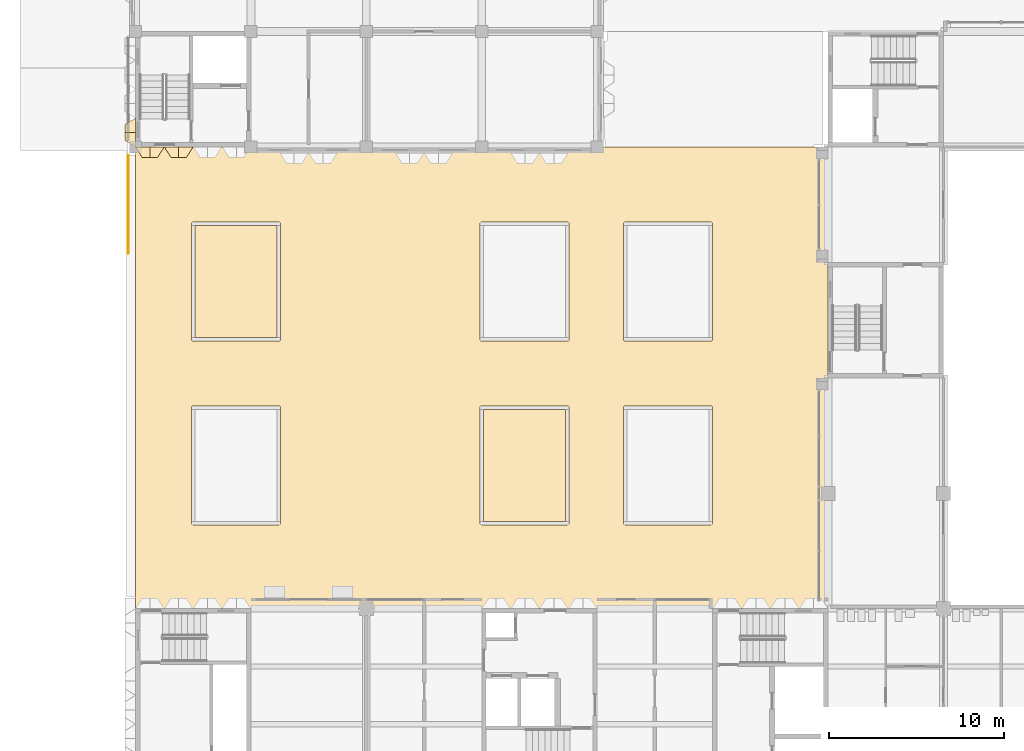
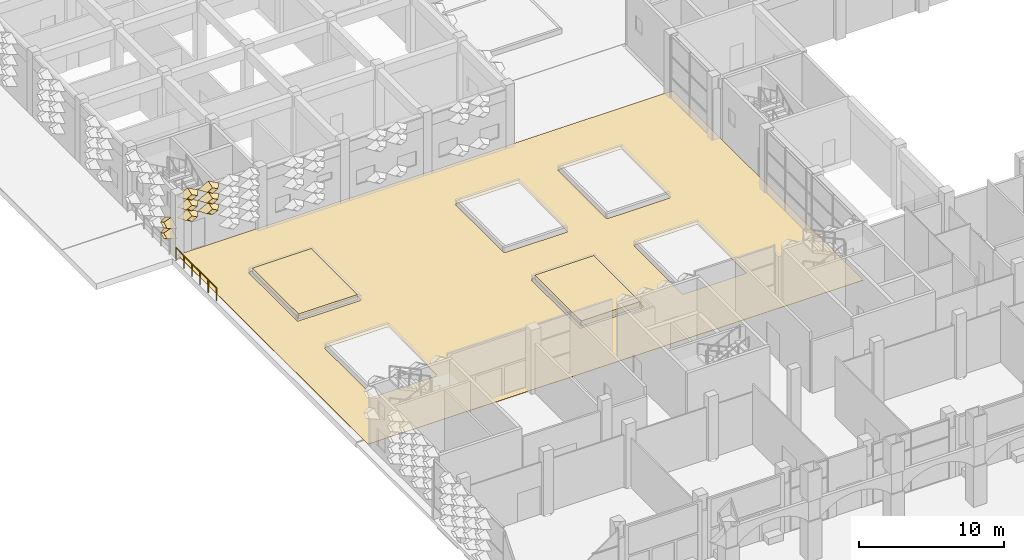
# One storey, part 54 of 85: 11 coverings, 1 railing.
"""IFC4 building model written with IfcOpenShell, lengths in metres."""

from ifc_helpers import new_model, entity, si_unit, direction, frame, origin, origin_2d, place, context, subcontext, project, spatial, polyline, circle, outline, extrude, material, layer, layer_set, type_object, element, save


model = new_model("IFC4")

# Units and contexts
model_context = context("Model", 3, precision=1e-05, world=origin(), true_north=direction((0.0, 1.0)))
body_context = subcontext(model_context, "Body", "Model", "MODEL_VIEW")
ifc_project = project(units=[si_unit("LENGTHUNIT", "METRE"), si_unit("AREAUNIT", "SQUARE_METRE"), si_unit("VOLUMEUNIT", "CUBIC_METRE"), si_unit("PLANEANGLEUNIT", "RADIAN"), si_unit("MASSUNIT", "GRAM", prefix="KILO")], contexts=[model_context])

# Site, building, storey
site_placement = place(None, origin())
site = spatial("IfcSite", under=ifc_project, at=site_placement, CompositionType="ELEMENT")
building_placement = place(site_placement, origin())
building = spatial("IfcBuilding", under=site, at=building_placement, Name="Lantern Court Research Institute", CompositionType="ELEMENT")
storey_placement = place(building_placement, origin())
storey = spatial("IfcBuildingStorey", under=building, at=storey_placement, Name="L00", CompositionType="ELEMENT", Elevation=0.0)

# Coverings
ifc_material_1 = material(Name="Granite setts", Category="masonry")
ifc_layer_1 = layer(ifc_material_1, 0.030029296875)
ifc_layer_set_1 = layer_set([ifc_layer_1], Name="Granite setts")
covering_type_1 = type_object("IfcCoveringType", Name="Court paving 30 mm", PredefinedType="FLOORING", material=ifc_layer_set_1)
covering_1_placement = place(storey_placement, origin())
element("IfcCovering", 1, at=covering_1_placement, inside=storey, type_object=covering_type_1, Name="Court paving 1", PredefinedType="FLOORING", context=body_context, shape_type="SweptSolid", body=[
    extrude(outline(polyline([(26.404052734375, 49.47998046875), (26.406005859375, 49.48095703125), (26.407958984375, 49.48193359375), (26.408935546875, 49.48193359375), (26.410888671875, 49.48291015625), (26.4130859375, 49.485107421875), (26.4140625, 49.486083984375), (26.4150390625, 49.487060546875), (26.4169921875, 49.489013671875), (26.41796875, 49.490966796875), (26.41796875, 49.491943359375), (26.4189453125, 49.493896484375), (26.419921875, 49.49609375), (26.419921875, 49.498046875), (26.419921875, 49.5), (39.580078125, 49.5), (39.580078125, 23.1201171875), (0.02001953125, 23.1201171875), (0.02001953125, 49.47998046875), (26.39990234375, 49.47998046875), (26.402099609375, 49.47998046875), (26.404052734375, 49.47998046875)]), holes=[polyline([(8.256103515625, 27.9169921875), (8.262939453125, 27.923095703125), (8.27099609375, 27.928955078125), (8.277099609375, 27.93701171875), (8.282958984375, 27.944091796875), (8.2880859375, 27.952880859375), (8.2919921875, 27.9619140625), (8.2958984375, 27.970947265625), (8.298095703125, 27.97998046875), (8.300048828125, 27.989990234375), (8.300048828125, 28.0), (8.300048828125, 34.60009765625), (8.300048828125, 34.610107421875), (8.298095703125, 34.6201171875), (8.2958984375, 34.62890625), (8.2919921875, 34.637939453125), (8.2880859375, 34.64697265625), (8.282958984375, 34.656005859375), (8.277099609375, 34.6630859375), (8.27099609375, 34.6708984375), (8.262939453125, 34.677001953125), (8.256103515625, 34.68310546875), (8.2470703125, 34.68798828125), (8.238037109375, 34.69189453125), (8.22900390625, 34.696044921875), (8.219970703125, 34.697998046875), (8.2099609375, 34.699951171875), (8.199951171875, 34.699951171875), (3.300048828125, 34.699951171875), (3.2900390625, 34.699951171875), (3.280029296875, 34.697998046875), (3.27099609375, 34.696044921875), (3.261962890625, 34.69189453125), (3.2529296875, 34.68798828125), (3.243896484375, 34.68310546875), (3.237060546875, 34.677001953125), (3.22900390625, 34.6708984375), (3.222900390625, 34.6630859375), (3.217041015625, 34.656005859375), (3.2119140625, 34.64697265625), (3.2080078125, 34.637939453125), (3.2041015625, 34.62890625), (3.201904296875, 34.6201171875), (3.199951171875, 34.610107421875), (3.199951171875, 34.60009765625), (3.199951171875, 28.0), (3.199951171875, 27.989990234375), (3.201904296875, 27.97998046875), (3.2041015625, 27.970947265625), (3.2080078125, 27.9619140625), (3.2119140625, 27.952880859375), (3.217041015625, 27.944091796875), (3.222900390625, 27.93701171875), (3.22900390625, 27.928955078125), (3.237060546875, 27.923095703125), (3.243896484375, 27.9169921875), (3.2529296875, 27.912109375), (3.261962890625, 27.907958984375), (3.27099609375, 27.904052734375), (3.280029296875, 27.902099609375), (3.2900390625, 27.89990234375), (3.300048828125, 27.89990234375), (8.199951171875, 27.89990234375), (8.2099609375, 27.89990234375), (8.219970703125, 27.902099609375), (8.22900390625, 27.904052734375), (8.238037109375, 27.907958984375), (8.2470703125, 27.912109375), (8.256103515625, 27.9169921875)]), polyline([(8.2470703125, 38.412109375), (8.256103515625, 38.4169921875), (8.262939453125, 38.423095703125), (8.27099609375, 38.428955078125), (8.277099609375, 38.43701171875), (8.282958984375, 38.444091796875), (8.2880859375, 38.452880859375), (8.2919921875, 38.4619140625), (8.2958984375, 38.470947265625), (8.298095703125, 38.47998046875), (8.300048828125, 38.489990234375), (8.300048828125, 38.5), (8.300048828125, 45.10009765625), (8.300048828125, 45.110107421875), (8.298095703125, 45.1201171875), (8.2958984375, 45.12890625), (8.2919921875, 45.137939453125), (8.2880859375, 45.14697265625), (8.282958984375, 45.156005859375), (8.277099609375, 45.1630859375), (8.27099609375, 45.1708984375), (8.262939453125, 45.177001953125), (8.256103515625, 45.18310546875), (8.2470703125, 45.18798828125), (8.238037109375, 45.19189453125), (8.22900390625, 45.196044921875), (8.219970703125, 45.197998046875), (8.2099609375, 45.199951171875), (8.199951171875, 45.199951171875), (3.300048828125, 45.199951171875), (3.2900390625, 45.199951171875), (3.280029296875, 45.197998046875), (3.27099609375, 45.196044921875), (3.261962890625, 45.19189453125), (3.2529296875, 45.18798828125), (3.243896484375, 45.18310546875), (3.237060546875, 45.177001953125), (3.22900390625, 45.1708984375), (3.222900390625, 45.1630859375), (3.217041015625, 45.156005859375), (3.2119140625, 45.14697265625), (3.2080078125, 45.137939453125), (3.2041015625, 45.12890625), (3.201904296875, 45.1201171875), (3.199951171875, 45.110107421875), (3.199951171875, 45.10009765625), (3.199951171875, 38.5), (3.199951171875, 38.489990234375), (3.201904296875, 38.47998046875), (3.2041015625, 38.470947265625), (3.2080078125, 38.4619140625), (3.2119140625, 38.452880859375), (3.217041015625, 38.444091796875), (3.222900390625, 38.43701171875), (3.22900390625, 38.428955078125), (3.237060546875, 38.423095703125), (3.243896484375, 38.4169921875), (3.2529296875, 38.412109375), (3.261962890625, 38.407958984375), (3.27099609375, 38.404052734375), (3.280029296875, 38.402099609375), (3.2900390625, 38.39990234375), (3.300048828125, 38.39990234375), (8.199951171875, 38.39990234375), (8.2099609375, 38.39990234375), (8.219970703125, 38.402099609375), (8.22900390625, 38.404052734375), (8.238037109375, 38.407958984375), (8.2470703125, 38.412109375)]), polyline([(24.738037109375, 27.907958984375), (24.7470703125, 27.912109375), (24.756103515625, 27.9169921875), (24.762939453125, 27.923095703125), (24.77099609375, 27.928955078125), (24.777099609375, 27.93701171875), (24.782958984375, 27.944091796875), (24.7880859375, 27.952880859375), (24.7919921875, 27.9619140625), (24.7958984375, 27.970947265625), (24.798095703125, 27.97998046875), (24.800048828125, 27.989990234375), (24.800048828125, 28.0), (24.800048828125, 34.60009765625), (24.800048828125, 34.610107421875), (24.798095703125, 34.6201171875), (24.7958984375, 34.62890625), (24.7919921875, 34.637939453125), (24.7880859375, 34.64697265625), (24.782958984375, 34.656005859375), (24.777099609375, 34.6630859375), (24.77099609375, 34.6708984375), (24.762939453125, 34.677001953125), (24.756103515625, 34.68310546875), (24.7470703125, 34.68798828125), (24.738037109375, 34.69189453125), (24.72900390625, 34.696044921875), (24.719970703125, 34.697998046875), (24.7099609375, 34.699951171875), (24.699951171875, 34.699951171875), (19.800048828125, 34.699951171875), (19.7900390625, 34.699951171875), (19.780029296875, 34.697998046875), (19.77099609375, 34.696044921875), (19.761962890625, 34.69189453125), (19.7529296875, 34.68798828125), (19.743896484375, 34.68310546875), (19.737060546875, 34.677001953125), (19.72900390625, 34.6708984375), (19.722900390625, 34.6630859375), (19.717041015625, 34.656005859375), (19.7119140625, 34.64697265625), (19.7080078125, 34.637939453125), (19.7041015625, 34.62890625), (19.701904296875, 34.6201171875), (19.699951171875, 34.610107421875), (19.699951171875, 34.60009765625), (19.699951171875, 28.0), (19.699951171875, 27.989990234375), (19.701904296875, 27.97998046875), (19.7041015625, 27.970947265625), (19.7080078125, 27.9619140625), (19.7119140625, 27.952880859375), (19.717041015625, 27.944091796875), (19.722900390625, 27.93701171875), (19.72900390625, 27.928955078125), (19.737060546875, 27.923095703125), (19.743896484375, 27.9169921875), (19.7529296875, 27.912109375), (19.761962890625, 27.907958984375), (19.77099609375, 27.904052734375), (19.780029296875, 27.902099609375), (19.7900390625, 27.89990234375), (19.800048828125, 27.89990234375), (24.699951171875, 27.89990234375), (24.7099609375, 27.89990234375), (24.719970703125, 27.902099609375), (24.72900390625, 27.904052734375), (24.738037109375, 27.907958984375)]), polyline([(24.72900390625, 38.404052734375), (24.738037109375, 38.407958984375), (24.7470703125, 38.412109375), (24.756103515625, 38.4169921875), (24.762939453125, 38.423095703125), (24.77099609375, 38.428955078125), (24.777099609375, 38.43701171875), (24.782958984375, 38.444091796875), (24.7880859375, 38.452880859375), (24.7919921875, 38.4619140625), (24.7958984375, 38.470947265625), (24.798095703125, 38.47998046875), (24.800048828125, 38.489990234375), (24.800048828125, 38.5), (24.800048828125, 45.10009765625), (24.800048828125, 45.110107421875), (24.798095703125, 45.1201171875), (24.7958984375, 45.12890625), (24.7919921875, 45.137939453125), (24.7880859375, 45.14697265625), (24.782958984375, 45.156005859375), (24.777099609375, 45.1630859375), (24.77099609375, 45.1708984375), (24.762939453125, 45.177001953125), (24.756103515625, 45.18310546875), (24.7470703125, 45.18798828125), (24.738037109375, 45.19189453125), (24.72900390625, 45.196044921875), (24.719970703125, 45.197998046875), (24.7099609375, 45.199951171875), (24.699951171875, 45.199951171875), (19.800048828125, 45.199951171875), (19.7900390625, 45.199951171875), (19.780029296875, 45.197998046875), (19.77099609375, 45.196044921875), (19.761962890625, 45.19189453125), (19.7529296875, 45.18798828125), (19.743896484375, 45.18310546875), (19.737060546875, 45.177001953125), (19.72900390625, 45.1708984375), (19.722900390625, 45.1630859375), (19.717041015625, 45.156005859375), (19.7119140625, 45.14697265625), (19.7080078125, 45.137939453125), (19.7041015625, 45.12890625), (19.701904296875, 45.1201171875), (19.699951171875, 45.110107421875), (19.699951171875, 45.10009765625), (19.699951171875, 38.5), (19.699951171875, 38.489990234375), (19.701904296875, 38.47998046875), (19.7041015625, 38.470947265625), (19.7080078125, 38.4619140625), (19.7119140625, 38.452880859375), (19.717041015625, 38.444091796875), (19.722900390625, 38.43701171875), (19.72900390625, 38.428955078125), (19.737060546875, 38.423095703125), (19.743896484375, 38.4169921875), (19.7529296875, 38.412109375), (19.761962890625, 38.407958984375), (19.77099609375, 38.404052734375), (19.780029296875, 38.402099609375), (19.7900390625, 38.39990234375), (19.800048828125, 38.39990234375), (24.699951171875, 38.39990234375), (24.7099609375, 38.39990234375), (24.719970703125, 38.402099609375), (24.72900390625, 38.404052734375)]), polyline([(32.919921875, 27.902099609375), (32.928955078125, 27.904052734375), (32.93798828125, 27.907958984375), (32.947021484375, 27.912109375), (32.9560546875, 27.9169921875), (32.962890625, 27.923095703125), (32.970947265625, 27.928955078125), (32.97705078125, 27.93701171875), (32.98291015625, 27.944091796875), (32.988037109375, 27.952880859375), (32.991943359375, 27.9619140625), (32.99609375, 27.970947265625), (32.998046875, 27.97998046875), (33.0, 27.989990234375), (33.0, 28.0), (33.0, 34.60009765625), (33.0, 34.610107421875), (32.998046875, 34.6201171875), (32.99609375, 34.62890625), (32.991943359375, 34.637939453125), (32.988037109375, 34.64697265625), (32.98291015625, 34.656005859375), (32.97705078125, 34.6630859375), (32.970947265625, 34.6708984375), (32.962890625, 34.677001953125), (32.9560546875, 34.68310546875), (32.947021484375, 34.68798828125), (32.93798828125, 34.69189453125), (32.928955078125, 34.696044921875), (32.919921875, 34.697998046875), (32.909912109375, 34.699951171875), (32.89990234375, 34.699951171875), (28.0, 34.699951171875), (27.989990234375, 34.699951171875), (27.97998046875, 34.697998046875), (27.970947265625, 34.696044921875), (27.9619140625, 34.69189453125), (27.952880859375, 34.68798828125), (27.944091796875, 34.68310546875), (27.93701171875, 34.677001953125), (27.928955078125, 34.6708984375), (27.923095703125, 34.6630859375), (27.9169921875, 34.656005859375), (27.912109375, 34.64697265625), (27.907958984375, 34.637939453125), (27.904052734375, 34.62890625), (27.902099609375, 34.6201171875), (27.89990234375, 34.610107421875), (27.89990234375, 34.60009765625), (27.89990234375, 28.0), (27.89990234375, 27.989990234375), (27.902099609375, 27.97998046875), (27.904052734375, 27.970947265625), (27.907958984375, 27.9619140625), (27.912109375, 27.952880859375), (27.9169921875, 27.944091796875), (27.923095703125, 27.93701171875), (27.928955078125, 27.928955078125), (27.93701171875, 27.923095703125), (27.944091796875, 27.9169921875), (27.952880859375, 27.912109375), (27.9619140625, 27.907958984375), (27.970947265625, 27.904052734375), (27.97998046875, 27.902099609375), (27.989990234375, 27.89990234375), (28.0, 27.89990234375), (32.89990234375, 27.89990234375), (32.909912109375, 27.89990234375), (32.919921875, 27.902099609375)]), polyline([(32.909912109375, 38.39990234375), (32.919921875, 38.402099609375), (32.928955078125, 38.404052734375), (32.93798828125, 38.407958984375), (32.947021484375, 38.412109375), (32.9560546875, 38.4169921875), (32.962890625, 38.423095703125), (32.970947265625, 38.428955078125), (32.97705078125, 38.43701171875), (32.98291015625, 38.444091796875), (32.988037109375, 38.452880859375), (32.991943359375, 38.4619140625), (32.99609375, 38.470947265625), (32.998046875, 38.47998046875), (33.0, 38.489990234375), (33.0, 38.5), (33.0, 45.10009765625), (33.0, 45.110107421875), (32.998046875, 45.1201171875), (32.99609375, 45.12890625), (32.991943359375, 45.137939453125), (32.988037109375, 45.14697265625), (32.98291015625, 45.156005859375), (32.97705078125, 45.1630859375), (32.970947265625, 45.1708984375), (32.962890625, 45.177001953125), (32.9560546875, 45.18310546875), (32.947021484375, 45.18798828125), (32.93798828125, 45.19189453125), (32.928955078125, 45.196044921875), (32.919921875, 45.197998046875), (32.909912109375, 45.199951171875), (32.89990234375, 45.199951171875), (28.0, 45.199951171875), (27.989990234375, 45.199951171875), (27.97998046875, 45.197998046875), (27.970947265625, 45.196044921875), (27.9619140625, 45.19189453125), (27.952880859375, 45.18798828125), (27.944091796875, 45.18310546875), (27.93701171875, 45.177001953125), (27.928955078125, 45.1708984375), (27.923095703125, 45.1630859375), (27.9169921875, 45.156005859375), (27.912109375, 45.14697265625), (27.907958984375, 45.137939453125), (27.904052734375, 45.12890625), (27.902099609375, 45.1201171875), (27.89990234375, 45.110107421875), (27.89990234375, 45.10009765625), (27.89990234375, 38.5), (27.89990234375, 38.489990234375), (27.902099609375, 38.47998046875), (27.904052734375, 38.470947265625), (27.907958984375, 38.4619140625), (27.912109375, 38.452880859375), (27.9169921875, 38.444091796875), (27.923095703125, 38.43701171875), (27.928955078125, 38.428955078125), (27.93701171875, 38.423095703125), (27.944091796875, 38.4169921875), (27.952880859375, 38.412109375), (27.9619140625, 38.407958984375), (27.970947265625, 38.404052734375), (27.97998046875, 38.402099609375), (27.989990234375, 38.39990234375), (28.0, 38.39990234375), (32.89990234375, 38.39990234375), (32.909912109375, 38.39990234375)])]), origin(), (0.0, 0.0, 1.0), 0.030029296875),
])
ifc_material_2 = material(Name="Anodised aluminium", Category="aluminium")
ifc_layer_2 = layer(ifc_material_2, 0.01611328125)
ifc_layer_set_2 = layer_set([ifc_layer_2], Name="Anodised aluminium")
covering_type_2 = type_object("IfcCoveringType", Name="Fin cassette 1650 x 900 x 600 aluminium", PredefinedType="CLADDING", material=ifc_layer_set_2)
covering_2_placement = place(storey_placement, frame((0.824951171875, 49.5, 3.14990234375), z_axis=(0.0, -1.0, 0.0), x_axis=(1.0, 0.0, 0.0)))
cartesian_point_1 = entity("IfcCartesianPoint", [0.824951171875, 0.0])
cartesian_point_2 = entity("IfcCartesianPoint", [0.79150390625, 0.0])
cartesian_point_3 = entity("IfcCartesianPoint", [0.44189453125, 0.0])
cartesian_point_4 = entity("IfcCartesianPoint", [0.43359375, 0.0])
element("IfcCovering", 2, at=covering_2_placement, inside=storey, type_object=covering_type_2, Name="Fin cassette V3S-L00 4.1", PredefinedType="CLADDING", context=body_context, shape_type="SweptSolid", body=[
    entity("IfcExtrudedAreaSolidTapered", entity("IfcArbitraryProfileDefWithVoids", "AREA", None, entity("IfcPolyline", [cartesian_point_1, entity("IfcCartesianPoint", [0.0, 0.449951171875]), entity("IfcCartesianPoint", [-0.824951171875, 0.0]), entity("IfcCartesianPoint", [0.0, -0.449951171875]), cartesian_point_1]), [entity("IfcPolyline", [cartesian_point_2, entity("IfcCartesianPoint", [0.0, 0.431884765625]), entity("IfcCartesianPoint", [-0.79150390625, 0.0]), entity("IfcCartesianPoint", [0.0, -0.431884765625]), cartesian_point_2])]), entity("IfcAxis2Placement3D", entity("IfcCartesianPoint", [0.0, 0.0, 0.0])), entity("IfcDirection", [0.0, 0.0, 1.0]), 0.60009765625, entity("IfcArbitraryProfileDefWithVoids", "AREA", None, entity("IfcPolyline", [cartesian_point_3, entity("IfcCartesianPoint", [0.0, 0.240966796875]), entity("IfcCartesianPoint", [-0.44189453125, 0.0]), entity("IfcCartesianPoint", [0.0, -0.240966796875]), cartesian_point_3]), [entity("IfcPolyline", [cartesian_point_4, entity("IfcCartesianPoint", [0.0, 0.236572265625]), entity("IfcCartesianPoint", [-0.43359375, 0.0]), entity("IfcCartesianPoint", [0.0, -0.236572265625]), cartesian_point_4])])),
])
covering_3_placement = place(storey_placement, frame((2.47509765625, 49.5, 3.14990234375), z_axis=(0.0, -1.0, 0.0), x_axis=(1.0, 0.0, 0.0)))
cartesian_point_5 = entity("IfcCartesianPoint", [0.824951171875, 0.0])
cartesian_point_6 = entity("IfcCartesianPoint", [0.79150390625, 0.0])
cartesian_point_7 = entity("IfcCartesianPoint", [0.44189453125, 0.0])
cartesian_point_8 = entity("IfcCartesianPoint", [0.43359375, 0.0])
element("IfcCovering", 3, at=covering_3_placement, inside=storey, type_object=covering_type_2, Name="Fin cassette V3S-L00 4.2", PredefinedType="CLADDING", context=body_context, shape_type="SweptSolid", body=[
    entity("IfcExtrudedAreaSolidTapered", entity("IfcArbitraryProfileDefWithVoids", "AREA", None, entity("IfcPolyline", [cartesian_point_5, entity("IfcCartesianPoint", [0.0, 0.449951171875]), entity("IfcCartesianPoint", [-0.824951171875, 0.0]), entity("IfcCartesianPoint", [0.0, -0.449951171875]), cartesian_point_5]), [entity("IfcPolyline", [cartesian_point_6, entity("IfcCartesianPoint", [0.0, 0.431884765625]), entity("IfcCartesianPoint", [-0.79150390625, 0.0]), entity("IfcCartesianPoint", [0.0, -0.431884765625]), cartesian_point_6])]), entity("IfcAxis2Placement3D", entity("IfcCartesianPoint", [0.0, 0.0, 0.0])), entity("IfcDirection", [0.0, 0.0, 1.0]), 0.60009765625, entity("IfcArbitraryProfileDefWithVoids", "AREA", None, entity("IfcPolyline", [cartesian_point_7, entity("IfcCartesianPoint", [0.0, 0.240966796875]), entity("IfcCartesianPoint", [-0.44189453125, 0.0]), entity("IfcCartesianPoint", [0.0, -0.240966796875]), cartesian_point_7]), [entity("IfcPolyline", [cartesian_point_8, entity("IfcCartesianPoint", [0.0, 0.236572265625]), entity("IfcCartesianPoint", [-0.43359375, 0.0]), entity("IfcCartesianPoint", [0.0, -0.236572265625]), cartesian_point_8])])),
])
covering_4_placement = place(storey_placement, frame((0.824951171875, 49.5, 4.050048828125), z_axis=(0.0, -1.0, 0.0), x_axis=(1.0, 0.0, 0.0)))
cartesian_point_9 = entity("IfcCartesianPoint", [0.824951171875, 0.0])
cartesian_point_10 = entity("IfcCartesianPoint", [0.79150390625, 0.0])
cartesian_point_11 = entity("IfcCartesianPoint", [0.44189453125, 0.0])
cartesian_point_12 = entity("IfcCartesianPoint", [0.43359375, 0.0])
element("IfcCovering", 4, at=covering_4_placement, inside=storey, type_object=covering_type_2, Name="Fin cassette V3S-L00 5.1", PredefinedType="CLADDING", context=body_context, shape_type="SweptSolid", body=[
    entity("IfcExtrudedAreaSolidTapered", entity("IfcArbitraryProfileDefWithVoids", "AREA", None, entity("IfcPolyline", [cartesian_point_9, entity("IfcCartesianPoint", [0.0, 0.449951171875]), entity("IfcCartesianPoint", [-0.824951171875, 0.0]), entity("IfcCartesianPoint", [0.0, -0.449951171875]), cartesian_point_9]), [entity("IfcPolyline", [cartesian_point_10, entity("IfcCartesianPoint", [0.0, 0.431884765625]), entity("IfcCartesianPoint", [-0.79150390625, 0.0]), entity("IfcCartesianPoint", [0.0, -0.431884765625]), cartesian_point_10])]), entity("IfcAxis2Placement3D", entity("IfcCartesianPoint", [0.0, 0.0, 0.0])), entity("IfcDirection", [0.0, 0.0, 1.0]), 0.60009765625, entity("IfcArbitraryProfileDefWithVoids", "AREA", None, entity("IfcPolyline", [cartesian_point_11, entity("IfcCartesianPoint", [0.0, 0.240966796875]), entity("IfcCartesianPoint", [-0.44189453125, 0.0]), entity("IfcCartesianPoint", [0.0, -0.240966796875]), cartesian_point_11]), [entity("IfcPolyline", [cartesian_point_12, entity("IfcCartesianPoint", [0.0, 0.236572265625]), entity("IfcCartesianPoint", [-0.43359375, 0.0]), entity("IfcCartesianPoint", [0.0, -0.236572265625]), cartesian_point_12])])),
])
covering_5_placement = place(storey_placement, frame((2.47509765625, 49.5, 4.050048828125), z_axis=(0.0, -1.0, 0.0), x_axis=(1.0, 0.0, 0.0)))
cartesian_point_13 = entity("IfcCartesianPoint", [0.824951171875, 0.0])
cartesian_point_14 = entity("IfcCartesianPoint", [0.79150390625, 0.0])
cartesian_point_15 = entity("IfcCartesianPoint", [0.44189453125, 0.0])
cartesian_point_16 = entity("IfcCartesianPoint", [0.43359375, 0.0])
element("IfcCovering", 5, at=covering_5_placement, inside=storey, type_object=covering_type_2, Name="Fin cassette V3S-L00 5.2", PredefinedType="CLADDING", context=body_context, shape_type="SweptSolid", body=[
    entity("IfcExtrudedAreaSolidTapered", entity("IfcArbitraryProfileDefWithVoids", "AREA", None, entity("IfcPolyline", [cartesian_point_13, entity("IfcCartesianPoint", [0.0, 0.449951171875]), entity("IfcCartesianPoint", [-0.824951171875, 0.0]), entity("IfcCartesianPoint", [0.0, -0.449951171875]), cartesian_point_13]), [entity("IfcPolyline", [cartesian_point_14, entity("IfcCartesianPoint", [0.0, 0.431884765625]), entity("IfcCartesianPoint", [-0.79150390625, 0.0]), entity("IfcCartesianPoint", [0.0, -0.431884765625]), cartesian_point_14])]), entity("IfcAxis2Placement3D", entity("IfcCartesianPoint", [0.0, 0.0, 0.0])), entity("IfcDirection", [0.0, 0.0, 1.0]), 0.60009765625, entity("IfcArbitraryProfileDefWithVoids", "AREA", None, entity("IfcPolyline", [cartesian_point_15, entity("IfcCartesianPoint", [0.0, 0.240966796875]), entity("IfcCartesianPoint", [-0.44189453125, 0.0]), entity("IfcCartesianPoint", [0.0, -0.240966796875]), cartesian_point_15]), [entity("IfcPolyline", [cartesian_point_16, entity("IfcCartesianPoint", [0.0, 0.236572265625]), entity("IfcCartesianPoint", [-0.43359375, 0.0]), entity("IfcCartesianPoint", [0.0, -0.236572265625]), cartesian_point_16])])),
])
covering_6_placement = place(storey_placement, frame((0.824951171875, 49.5, 4.949951171875), z_axis=(0.0, -1.0, 0.0), x_axis=(1.0, 0.0, 0.0)))
cartesian_point_17 = entity("IfcCartesianPoint", [0.824951171875, 0.0])
cartesian_point_18 = entity("IfcCartesianPoint", [0.79150390625, 0.0])
cartesian_point_19 = entity("IfcCartesianPoint", [0.44189453125, 0.0])
cartesian_point_20 = entity("IfcCartesianPoint", [0.43359375, 0.0])
element("IfcCovering", 6, at=covering_6_placement, inside=storey, type_object=covering_type_2, Name="Fin cassette V3S-L00 6.1", PredefinedType="CLADDING", context=body_context, shape_type="SweptSolid", body=[
    entity("IfcExtrudedAreaSolidTapered", entity("IfcArbitraryProfileDefWithVoids", "AREA", None, entity("IfcPolyline", [cartesian_point_17, entity("IfcCartesianPoint", [0.0, 0.449951171875]), entity("IfcCartesianPoint", [-0.824951171875, 0.0]), entity("IfcCartesianPoint", [0.0, -0.449951171875]), cartesian_point_17]), [entity("IfcPolyline", [cartesian_point_18, entity("IfcCartesianPoint", [0.0, 0.431884765625]), entity("IfcCartesianPoint", [-0.79150390625, 0.0]), entity("IfcCartesianPoint", [0.0, -0.431884765625]), cartesian_point_18])]), entity("IfcAxis2Placement3D", entity("IfcCartesianPoint", [0.0, 0.0, 0.0])), entity("IfcDirection", [0.0, 0.0, 1.0]), 0.60009765625, entity("IfcArbitraryProfileDefWithVoids", "AREA", None, entity("IfcPolyline", [cartesian_point_19, entity("IfcCartesianPoint", [0.0, 0.240966796875]), entity("IfcCartesianPoint", [-0.44189453125, 0.0]), entity("IfcCartesianPoint", [0.0, -0.240966796875]), cartesian_point_19]), [entity("IfcPolyline", [cartesian_point_20, entity("IfcCartesianPoint", [0.0, 0.236572265625]), entity("IfcCartesianPoint", [-0.43359375, 0.0]), entity("IfcCartesianPoint", [0.0, -0.236572265625]), cartesian_point_20])])),
])
covering_7_placement = place(storey_placement, frame((2.47509765625, 49.5, 4.949951171875), z_axis=(0.0, -1.0, 0.0), x_axis=(1.0, 0.0, 0.0)))
cartesian_point_21 = entity("IfcCartesianPoint", [0.824951171875, 0.0])
cartesian_point_22 = entity("IfcCartesianPoint", [0.79150390625, 0.0])
cartesian_point_23 = entity("IfcCartesianPoint", [0.44189453125, 0.0])
cartesian_point_24 = entity("IfcCartesianPoint", [0.43359375, 0.0])
element("IfcCovering", 7, at=covering_7_placement, inside=storey, type_object=covering_type_2, Name="Fin cassette V3S-L00 6.2", PredefinedType="CLADDING", context=body_context, shape_type="SweptSolid", body=[
    entity("IfcExtrudedAreaSolidTapered", entity("IfcArbitraryProfileDefWithVoids", "AREA", None, entity("IfcPolyline", [cartesian_point_21, entity("IfcCartesianPoint", [0.0, 0.449951171875]), entity("IfcCartesianPoint", [-0.824951171875, 0.0]), entity("IfcCartesianPoint", [0.0, -0.449951171875]), cartesian_point_21]), [entity("IfcPolyline", [cartesian_point_22, entity("IfcCartesianPoint", [0.0, 0.431884765625]), entity("IfcCartesianPoint", [-0.79150390625, 0.0]), entity("IfcCartesianPoint", [0.0, -0.431884765625]), cartesian_point_22])]), entity("IfcAxis2Placement3D", entity("IfcCartesianPoint", [0.0, 0.0, 0.0])), entity("IfcDirection", [0.0, 0.0, 1.0]), 0.60009765625, entity("IfcArbitraryProfileDefWithVoids", "AREA", None, entity("IfcPolyline", [cartesian_point_23, entity("IfcCartesianPoint", [0.0, 0.240966796875]), entity("IfcCartesianPoint", [-0.44189453125, 0.0]), entity("IfcCartesianPoint", [0.0, -0.240966796875]), cartesian_point_23]), [entity("IfcPolyline", [cartesian_point_24, entity("IfcCartesianPoint", [0.0, 0.236572265625]), entity("IfcCartesianPoint", [-0.43359375, 0.0]), entity("IfcCartesianPoint", [0.0, -0.236572265625]), cartesian_point_24])])),
])
covering_8_placement = place(storey_placement, frame((0.0, 50.324951171875, 1.35009765625), z_axis=(-1.0, 0.0, 0.0), x_axis=(0.0, -1.0, 0.0)))
cartesian_point_25 = entity("IfcCartesianPoint", [0.824951171875, 0.0])
cartesian_point_26 = entity("IfcCartesianPoint", [0.79150390625, 0.0])
cartesian_point_27 = entity("IfcCartesianPoint", [0.44189453125, 0.0])
cartesian_point_28 = entity("IfcCartesianPoint", [0.43359375, 0.0])
element("IfcCovering", 8, at=covering_8_placement, inside=storey, type_object=covering_type_2, Name="Fin cassette V3W-L00 2.31", PredefinedType="CLADDING", context=body_context, shape_type="SweptSolid", body=[
    entity("IfcExtrudedAreaSolidTapered", entity("IfcArbitraryProfileDefWithVoids", "AREA", None, entity("IfcPolyline", [cartesian_point_25, entity("IfcCartesianPoint", [0.0, 0.449951171875]), entity("IfcCartesianPoint", [-0.824951171875, 0.0]), entity("IfcCartesianPoint", [0.0, -0.449951171875]), cartesian_point_25]), [entity("IfcPolyline", [cartesian_point_26, entity("IfcCartesianPoint", [0.0, 0.431884765625]), entity("IfcCartesianPoint", [-0.79150390625, 0.0]), entity("IfcCartesianPoint", [0.0, -0.431884765625]), cartesian_point_26])]), entity("IfcAxis2Placement3D", entity("IfcCartesianPoint", [0.0, 0.0, 0.0])), entity("IfcDirection", [0.0, 0.0, 1.0]), 0.60009765625, entity("IfcArbitraryProfileDefWithVoids", "AREA", None, entity("IfcPolyline", [cartesian_point_27, entity("IfcCartesianPoint", [0.0, 0.240966796875]), entity("IfcCartesianPoint", [-0.44189453125, 0.0]), entity("IfcCartesianPoint", [0.0, -0.240966796875]), cartesian_point_27]), [entity("IfcPolyline", [cartesian_point_28, entity("IfcCartesianPoint", [0.0, 0.236572265625]), entity("IfcCartesianPoint", [-0.43359375, 0.0]), entity("IfcCartesianPoint", [0.0, -0.236572265625]), cartesian_point_28])])),
])
covering_9_placement = place(storey_placement, frame((0.0, 50.324951171875, 2.25), z_axis=(-1.0, 0.0, 0.0), x_axis=(0.0, -1.0, 0.0)))
cartesian_point_29 = entity("IfcCartesianPoint", [0.824951171875, 0.0])
cartesian_point_30 = entity("IfcCartesianPoint", [0.79150390625, 0.0])
cartesian_point_31 = entity("IfcCartesianPoint", [0.44189453125, 0.0])
cartesian_point_32 = entity("IfcCartesianPoint", [0.43359375, 0.0])
element("IfcCovering", 9, at=covering_9_placement, inside=storey, type_object=covering_type_2, Name="Fin cassette V3W-L00 3.31", PredefinedType="CLADDING", context=body_context, shape_type="SweptSolid", body=[
    entity("IfcExtrudedAreaSolidTapered", entity("IfcArbitraryProfileDefWithVoids", "AREA", None, entity("IfcPolyline", [cartesian_point_29, entity("IfcCartesianPoint", [0.0, 0.449951171875]), entity("IfcCartesianPoint", [-0.824951171875, 0.0]), entity("IfcCartesianPoint", [0.0, -0.449951171875]), cartesian_point_29]), [entity("IfcPolyline", [cartesian_point_30, entity("IfcCartesianPoint", [0.0, 0.431884765625]), entity("IfcCartesianPoint", [-0.79150390625, 0.0]), entity("IfcCartesianPoint", [0.0, -0.431884765625]), cartesian_point_30])]), entity("IfcAxis2Placement3D", entity("IfcCartesianPoint", [0.0, 0.0, 0.0])), entity("IfcDirection", [0.0, 0.0, 1.0]), 0.60009765625, entity("IfcArbitraryProfileDefWithVoids", "AREA", None, entity("IfcPolyline", [cartesian_point_31, entity("IfcCartesianPoint", [0.0, 0.240966796875]), entity("IfcCartesianPoint", [-0.44189453125, 0.0]), entity("IfcCartesianPoint", [0.0, -0.240966796875]), cartesian_point_31]), [entity("IfcPolyline", [cartesian_point_32, entity("IfcCartesianPoint", [0.0, 0.236572265625]), entity("IfcCartesianPoint", [-0.43359375, 0.0]), entity("IfcCartesianPoint", [0.0, -0.236572265625]), cartesian_point_32])])),
])

# Railing
ifc_material_3 = material(Name="Galvanised steel S355", Category="steel")
railing_type = type_object("IfcRailingType", Name="Guard 1100", PredefinedType="GUARDRAIL", material=ifc_material_3)
railing_placement = place(storey_placement, frame((-0.39990234375, 43.39990234375, 0.0)))
element("IfcRailing", 10, at=railing_placement, inside=storey, type_object=railing_type, Name="Ramp guard BG1", PredefinedType="GUARDRAIL", context=body_context, shape_type="SweptSolid", body=[
    extrude(circle(Radius=0.02392578125, at=origin_2d()), frame((0.0, 0.0, 1.076171875), z_axis=(0.0, 1.0, 0.0), x_axis=(-1.0, 0.0, 0.0)), (0.0, 0.0, 1.0), 5.60009765625),
    extrude(circle(Radius=0.02099609375, at=origin_2d()), origin(), (0.0, 0.0, 1.0), 1.052001953125),
    extrude(circle(Radius=0.02099609375, at=origin_2d()), frame((0.0, 1.1201171875, 0.0)), (0.0, 0.0, 1.0), 1.052001953125),
    extrude(circle(Radius=0.02099609375, at=origin_2d()), frame((0.0, 2.239990234375, 0.0)), (0.0, 0.0, 1.0), 1.052001953125),
    extrude(circle(Radius=0.02099609375, at=origin_2d()), frame((0.0, 3.360107421875, 0.0)), (0.0, 0.0, 1.0), 1.052001953125),
    extrude(circle(Radius=0.02099609375, at=origin_2d()), frame((0.0, 4.47998046875, 0.0)), (0.0, 0.0, 1.0), 1.052001953125),
    extrude(circle(Radius=0.02099609375, at=origin_2d()), frame((0.0, 5.60009765625, 0.0)), (0.0, 0.0, 1.0), 1.052001953125),
])

# Coverings
ifc_material_4 = material(Name="Planting soil")
ifc_layer_3 = layer(ifc_material_4, 0.449951171875)
ifc_layer_set_3 = layer_set([ifc_layer_3], Name="Planting soil")
covering_type_3 = type_object("IfcCoveringType", Name="Planting soil 450 mm", PredefinedType="FLOORING", material=ifc_layer_set_3)
covering_10_placement = place(storey_placement, origin())
element("IfcCovering", 11, at=covering_10_placement, inside=storey, type_object=covering_type_3, Name="Planting bed court 2", PredefinedType="FLOORING", context=body_context, shape_type="SweptSolid", body=[
    extrude(outline(polyline([(3.39990234375, 38.60009765625), (8.10009765625, 38.60009765625), (8.10009765625, 45.0), (3.39990234375, 45.0), (3.39990234375, 38.60009765625)])), origin(), (0.0, 0.0, 1.0), 0.449951171875),
])
covering_11_placement = place(storey_placement, origin())
element("IfcCovering", 12, at=covering_11_placement, inside=storey, type_object=covering_type_3, Name="Planting bed court 3", PredefinedType="FLOORING", context=body_context, shape_type="SweptSolid", body=[
    extrude(outline(polyline([(19.89990234375, 28.10009765625), (24.60009765625, 28.10009765625), (24.60009765625, 34.5), (19.89990234375, 34.5), (19.89990234375, 28.10009765625)])), origin(), (0.0, 0.0, 1.0), 0.449951171875),
])

save(model, "model.ifc")
